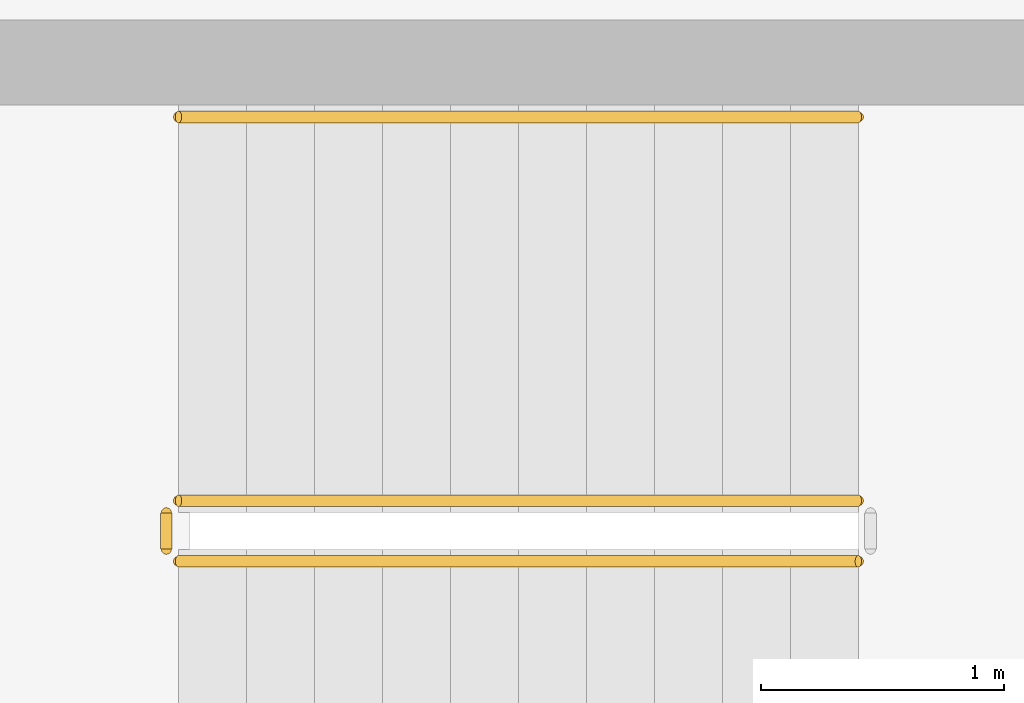
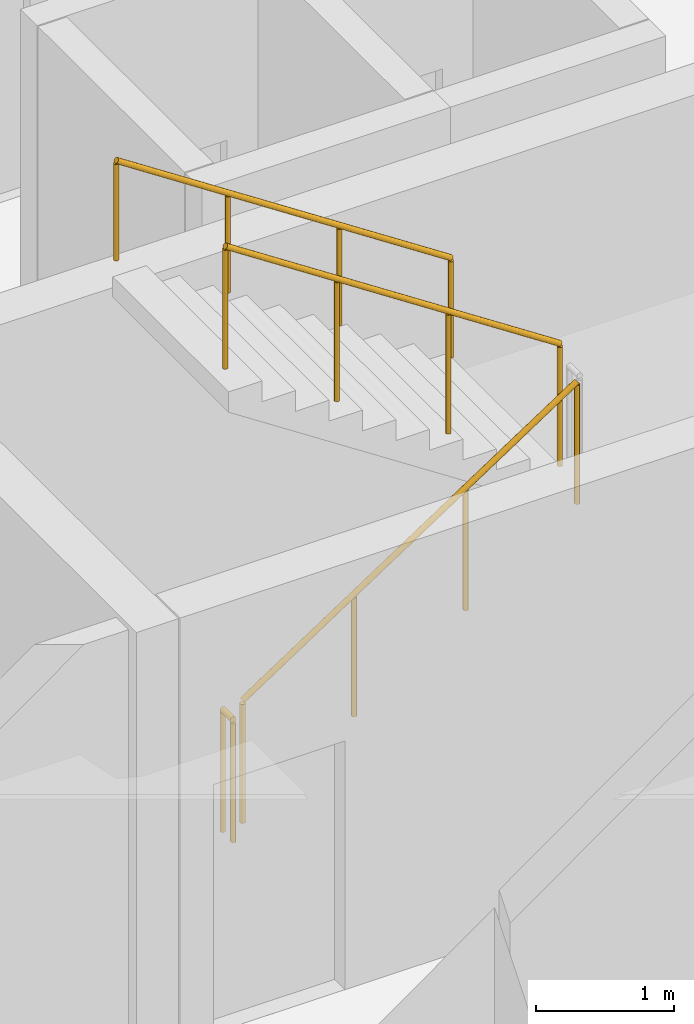
# One storey, part 37 of 42: 4 railings.
"""IFC4 building model written with IfcOpenShell, lengths in metres."""

from ifc_helpers import new_model, si_unit, direction, frame, origin, origin_2d, place, context, subcontext, project, spatial, circle, extrude, material, type_object, element, save


model = new_model("IFC4")

# Units and contexts
model_context = context("Model", 3, precision=1e-05, world=origin(), true_north=direction((0.0, 1.0)))
body_context = subcontext(model_context, "Body", "Model", "MODEL_VIEW")
ifc_project = project(units=[si_unit("LENGTHUNIT", "METRE"), si_unit("AREAUNIT", "SQUARE_METRE"), si_unit("VOLUMEUNIT", "CUBIC_METRE"), si_unit("PLANEANGLEUNIT", "RADIAN"), si_unit("MASSUNIT", "GRAM", prefix="KILO")], contexts=[model_context])

# Site, building, storey
site_placement = place(None, origin())
site = spatial("IfcSite", under=ifc_project, at=site_placement, CompositionType="ELEMENT")
building_placement = place(site_placement, origin())
building = spatial("IfcBuilding", under=site, at=building_placement, Name="Qorvath Tower", CompositionType="ELEMENT")
storey_placement = place(building_placement, frame((0.0, 0.0, 117.89990234375)))
storey = spatial("IfcBuildingStorey", under=building, at=storey_placement, Name="L26", CompositionType="ELEMENT", Elevation=117.89990234375)

# Railings
ifc_material_1 = material(Name="Painted galvanised steel", Category="steel")
railing_type_1 = type_object("IfcRailingType", Name="RL-STR-GRD", PredefinedType="GUARDRAIL", material=ifc_material_1)
railing_1_placement = place(storey_placement, frame((-22.669921875, -6.570068359375, 0.18408203125)))
element("IfcRailing", 1, at=railing_1_placement, inside=storey, type_object=railing_type_1, Name="L26 TS2 stair guard 1", PredefinedType="GUARDRAIL", context=body_context, shape_type="SweptSolid", body=[
    extrude(circle(Radius=0.02392578125, at=origin_2d()), frame((0.0, 0.0, 1.076171875), z_axis=(0.835542071712, 0.0, 0.549426470421), x_axis=(0.0, 1.0, 0.0)), (0.0, 0.0, 1.0), 3.350830078125),
    extrude(circle(Radius=0.02099609375, at=origin_2d()), origin(), (0.0, 0.0, 1.0), 1.052001953125),
    extrude(circle(Radius=0.02099609375, at=origin_2d()), frame((0.933349609375, 0.0, 0.61376953125)), (0.0, 0.0, 1.0), 1.052001953125),
    extrude(circle(Radius=0.02099609375, at=origin_2d()), frame((1.866455078125, 0.0, 1.227294921875)), (0.0, 0.0, 1.0), 1.052001953125),
    extrude(circle(Radius=0.02099609375, at=origin_2d()), frame((2.7998046875, 0.0, 1.841064453125)), (0.0, 0.0, 1.0), 1.052001953125),
])
railing_2_placement = place(storey_placement, frame((-19.8701171875, -6.320068359375, 2.209228515625)))
element("IfcRailing", 2, at=railing_2_placement, inside=storey, type_object=railing_type_1, Name="L26 TS2 stair guard 3", PredefinedType="GUARDRAIL", context=body_context, shape_type="SweptSolid", body=[
    extrude(circle(Radius=0.02392578125, at=origin_2d()), frame((0.0, 0.0, 1.076171875), z_axis=(-0.835575518608, 0.0, 0.549375602573), x_axis=(0.0, -1.0, 0.0)), (0.0, 0.0, 1.0), 3.350830078125),
    extrude(circle(Radius=0.02099609375, at=origin_2d()), origin(), (0.0, 0.0, 1.0), 1.052001953125),
    extrude(circle(Radius=0.02099609375, at=origin_2d()), frame((-0.933349609375, 0.0, 0.613525390625)), (0.0, 0.0, 1.0), 1.052001953125),
    extrude(circle(Radius=0.02099609375, at=origin_2d()), frame((-1.866455078125, 0.0, 1.227294921875)), (0.0, 0.0, 1.0), 1.052001953125),
    extrude(circle(Radius=0.02099609375, at=origin_2d()), frame((-2.7998046875, 0.0, 1.8408203125)), (0.0, 0.0, 1.0), 1.052001953125),
])
railing_3_placement = place(storey_placement, frame((-22.719970703125, -6.52001953125, 0.0)))
element("IfcRailing", 3, at=railing_3_placement, inside=storey, type_object=railing_type_1, Name="L26 TS2 stair guard 4", PredefinedType="GUARDRAIL", context=body_context, shape_type="SweptSolid", body=[
    extrude(circle(Radius=0.02392578125, at=origin_2d()), frame((0.0, 0.0, 1.076171875), z_axis=(0.0, 1.0, 0.0), x_axis=(-1.0, 0.0, 0.0)), (0.0, 0.0, 1.0), 0.14990234375),
    extrude(circle(Radius=0.02099609375, at=origin_2d()), origin(), (0.0, 0.0, 1.0), 1.052001953125),
    extrude(circle(Radius=0.02099609375, at=origin_2d()), frame((0.0, 0.14990234375, 0.0)), (0.0, 0.0, 1.0), 1.052001953125),
])
ifc_material_2 = material(Name="Brushed stainless steel AISI 304", Category="steel")
railing_type_2 = type_object("IfcRailingType", Name="RL-STR-HND", PredefinedType="HANDRAIL", material=ifc_material_2)
railing_4_placement = place(storey_placement, frame((-19.8701171875, -4.739990234375, 2.209228515625)))
element("IfcRailing", 4, at=railing_4_placement, inside=storey, type_object=railing_type_2, Name="L26 TS2 stair handrail 2", PredefinedType="HANDRAIL", context=body_context, shape_type="SweptSolid", body=[
    extrude(circle(Radius=0.02392578125, at=origin_2d()), frame((0.0, 0.0, 0.8759765625), z_axis=(-0.835575518608, 0.0, 0.549375602573), x_axis=(0.0, -1.0, 0.0)), (0.0, 0.0, 1.0), 3.350830078125),
    extrude(circle(Radius=0.02099609375, at=origin_2d()), origin(), (0.0, 0.0, 1.0), 0.851806640625),
    extrude(circle(Radius=0.02099609375, at=origin_2d()), frame((-0.933349609375, 0.0, 0.613525390625)), (0.0, 0.0, 1.0), 0.851806640625),
    extrude(circle(Radius=0.02099609375, at=origin_2d()), frame((-1.866455078125, 0.0, 1.227294921875)), (0.0, 0.0, 1.0), 0.851806640625),
    extrude(circle(Radius=0.02099609375, at=origin_2d()), frame((-2.7998046875, 0.0, 1.8408203125)), (0.0, 0.0, 1.0), 0.851806640625),
])

save(model, "model.ifc")
